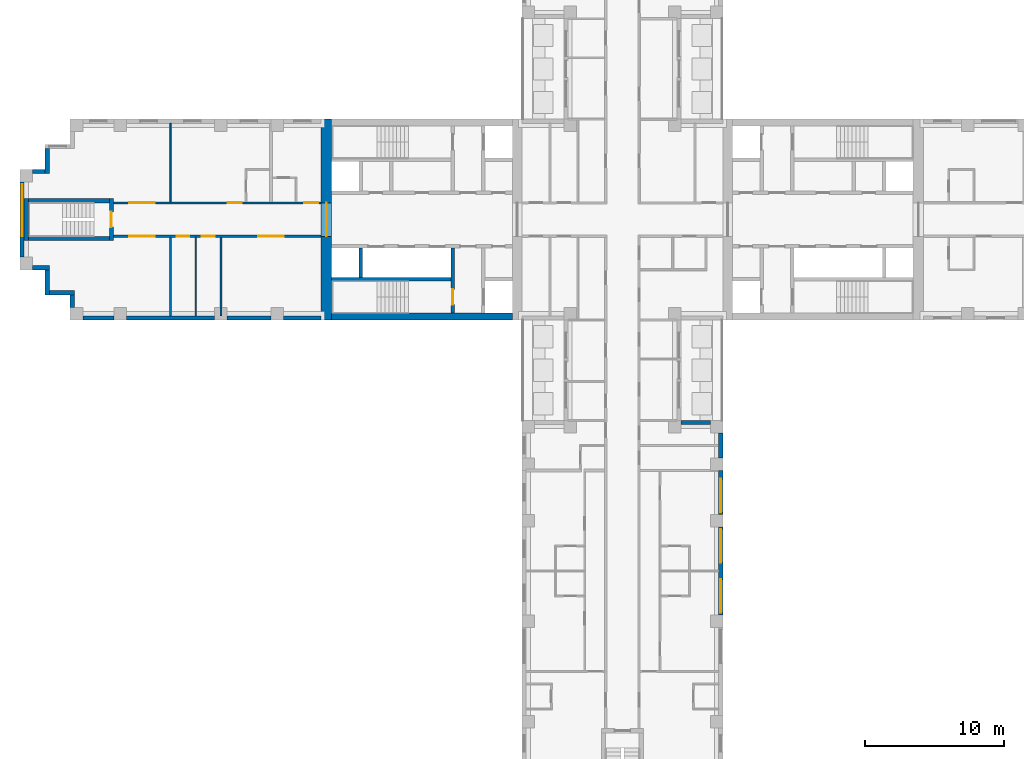
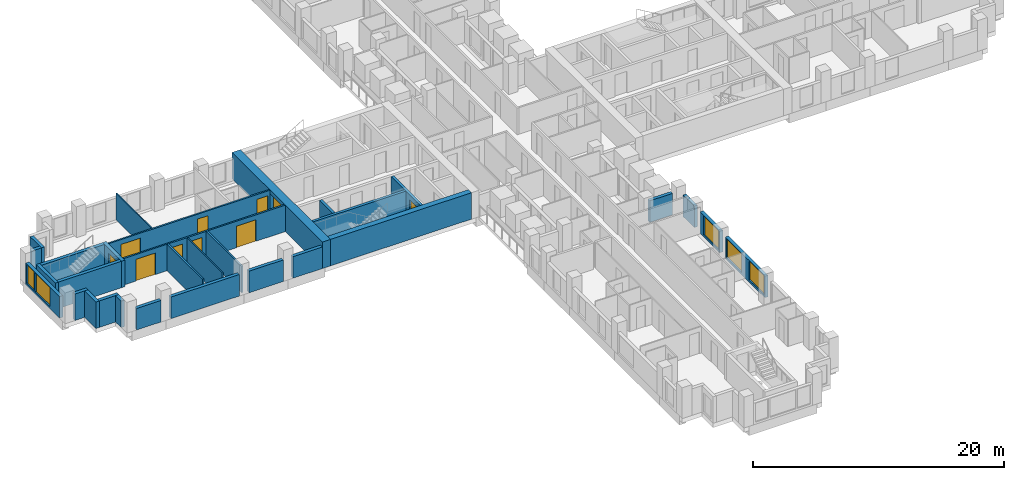
# One storey, part 5 of 15: 30 walls, 10 doors, 5 windows, 15 openings.
"""IFC4 building model written with IfcOpenShell, lengths in metres."""

from ifc_helpers import new_model, si_unit, direction, frame, frame_2d, origin, place, context, subcontext, project, spatial, rectangle, extrude, material, layer, layer_set, type_object, element, fill, save


model = new_model("IFC4")

# Units and contexts
model_context = context("Model", 3, precision=1e-05, world=origin(), true_north=direction((0.0, 1.0)))
body_context = subcontext(model_context, "Body", "Model", "MODEL_VIEW")
ifc_project = project(units=[si_unit("LENGTHUNIT", "METRE"), si_unit("AREAUNIT", "SQUARE_METRE"), si_unit("VOLUMEUNIT", "CUBIC_METRE"), si_unit("PLANEANGLEUNIT", "RADIAN"), si_unit("MASSUNIT", "GRAM", prefix="KILO")], contexts=[model_context])

# Site, building, storey
site_placement = place(None, origin())
site = spatial("IfcSite", under=ifc_project, at=site_placement, CompositionType="ELEMENT")
building_placement = place(site_placement, origin())
building = spatial("IfcBuilding", under=site, at=building_placement, Name="Fustian Cross Tower", CompositionType="ELEMENT")
storey_placement = place(building_placement, frame((0.0, 0.0, 53.699951171875)))
storey = spatial("IfcBuildingStorey", under=building, at=storey_placement, Name="L16", CompositionType="ELEMENT", Elevation=53.699951171875)

# Wall, openings, doors
ifc_material_1 = material(Name="Plasterboard on steel stud", Category="steel")
ifc_layer_1 = layer(ifc_material_1, 0.14990234375)
ifc_layer_set_1 = layer_set([ifc_layer_1], Name="Plasterboard on steel stud")
wall_type_1 = type_object("IfcWallType", Name="COMPARTMENT WALL 150 EI 60", PredefinedType="PARTITIONING", material=ifc_layer_set_1)
wall_1_placement = place(storey_placement, frame((-36.5, -1.199951171875, 0.0), z_axis=(0.0, 0.0, 1.0), x_axis=(1.0, 0.0, 0.0)))
wall_1 = element("IfcWall", 1, at=wall_1_placement, inside=storey, type_object=wall_type_1, Name="Partition 1", PredefinedType="PARTITIONING", context=body_context, shape_type="SweptSolid", body=[
    extrude(rectangle(XDim=14.89990234375, YDim=0.14990234375, at=frame_2d((7.449951171875, 0.0))), origin(), (0.0, 0.0, 1.0), 2.574951171875),
])
opening_1_placement = place(wall_1_placement, frame((10.39990234375, 0.0, 0.0)))
opening_1 = element("IfcOpeningElement", 2, at=opening_1_placement, cuts=wall_1, Name="Opening D09044", PredefinedType="OPENING", context=body_context, shape_type="SweptSolid", body=[
    extrude(rectangle(XDim=1.800048828125, YDim=2.10009765625, at=frame_2d((0.89990234375, 1.050048828125))), frame((0.0, 0.0849609375, 0.0), z_axis=(0.0, -1.0, 0.0), x_axis=(1.0, 0.0, 0.0)), (0.0, 0.0, 1.0), 0.169921875),
])
opening_2_placement = place(wall_1_placement, frame((6.35009765625, 0.0, 0.0)))
opening_2 = element("IfcOpeningElement", 3, at=opening_2_placement, cuts=wall_1, Name="Opening D09045", PredefinedType="OPENING", context=body_context, shape_type="SweptSolid", body=[
    extrude(rectangle(XDim=0.89990234375, YDim=2.10009765625, at=frame_2d((0.449951171875, 1.050048828125))), frame((0.0, 0.0849609375, 0.0), z_axis=(0.0, -1.0, 0.0), x_axis=(1.0, 0.0, 0.0)), (0.0, 0.0, 1.0), 0.169921875),
])
opening_3_placement = place(wall_1_placement, frame((4.550048828125, 0.0, 0.0)))
opening_3 = element("IfcOpeningElement", 4, at=opening_3_placement, cuts=wall_1, Name="Opening D09046", PredefinedType="OPENING", context=body_context, shape_type="SweptSolid", body=[
    extrude(rectangle(XDim=0.89990234375, YDim=2.10009765625, at=frame_2d((0.449951171875, 1.050048828125))), frame((0.0, 0.0849609375, 0.0), z_axis=(0.0, -1.0, 0.0), x_axis=(1.0, 0.0, 0.0)), (0.0, 0.0, 1.0), 0.169921875),
])
opening_4_placement = place(wall_1_placement, frame((1.14990234375, 0.0, 0.0)))
opening_4 = element("IfcOpeningElement", 5, at=opening_4_placement, cuts=wall_1, Name="Opening D09047", PredefinedType="OPENING", context=body_context, shape_type="SweptSolid", body=[
    extrude(rectangle(XDim=1.800048828125, YDim=2.10009765625, at=frame_2d((0.89990234375, 1.050048828125))), frame((0.0, 0.0849609375, 0.0), z_axis=(0.0, -1.0, 0.0), x_axis=(1.0, 0.0, 0.0)), (0.0, 0.0, 1.0), 0.169921875),
])
ifc_material_2 = material(Name="Timber fire door set", Category="wood")
door_type_1 = type_object("IfcDoorType", Name="FIRE DOUBLE DOOR 1800 FD30S", OperationType="DOUBLE_DOOR_DOUBLE_SWING", PredefinedType="DOOR", material=ifc_material_2)
door_1_placement = place(opening_1_placement, origin())
door_1 = element("IfcDoor", 6, at=door_1_placement, inside=storey, type_object=door_type_1, Name="Door D09044", OperationType="DOUBLE_DOOR_DOUBLE_SWING", OverallHeight=2.10009765625, OverallWidth=1.800048828125, PredefinedType="DOOR", context=body_context, shape_type="SweptSolid", body=[
    extrude(rectangle(XDim=1.800048828125, YDim=2.10009765625, at=frame_2d((0.89990234375, 1.050048828125))), frame((0.0, 0.02490234375, 0.0), z_axis=(0.0, -1.0, 0.0), x_axis=(1.0, 0.0, 0.0)), (0.0, 0.0, 1.0), 0.050048828125),
])
fill(opening_1, door_1)
door_2_placement = place(opening_4_placement, origin())
door_2 = element("IfcDoor", 7, at=door_2_placement, inside=storey, type_object=door_type_1, Name="Door D09047", OperationType="DOUBLE_DOOR_DOUBLE_SWING", OverallHeight=2.10009765625, OverallWidth=1.800048828125, PredefinedType="DOOR", context=body_context, shape_type="SweptSolid", body=[
    extrude(rectangle(XDim=1.800048828125, YDim=2.10009765625, at=frame_2d((0.89990234375, 1.050048828125))), frame((0.0, 0.02490234375, 0.0), z_axis=(0.0, -1.0, 0.0), x_axis=(1.0, 0.0, 0.0)), (0.0, 0.0, 1.0), 0.050048828125),
])
fill(opening_4, door_2)
ifc_material_3 = material(Name="Timber fire door set", Category="wood")
door_type_2 = type_object("IfcDoorType", Name="FIRE SWING DOOR 900 FD30S", OperationType="SINGLE_SWING_LEFT", PredefinedType="DOOR", material=ifc_material_3)
door_3_placement = place(opening_2_placement, frame((0.89990234375, 0.0, 0.0), z_axis=(0.0, 0.0, 1.0), x_axis=(-1.0, 0.0, 0.0)))
door_3 = element("IfcDoor", 8, at=door_3_placement, inside=storey, type_object=door_type_2, Name="Door D09045", OperationType="SINGLE_SWING_LEFT", OverallHeight=2.10009765625, OverallWidth=0.89990234375, PredefinedType="DOOR", context=body_context, shape_type="SweptSolid", body=[
    extrude(rectangle(XDim=0.89990234375, YDim=2.10009765625, at=frame_2d((0.449951171875, 1.050048828125))), frame((0.0, 0.02490234375, 0.0), z_axis=(0.0, -1.0, 0.0), x_axis=(1.0, 0.0, 0.0)), (0.0, 0.0, 1.0), 0.050048828125),
])
fill(opening_2, door_3)
door_4_placement = place(opening_3_placement, frame((0.89990234375, 0.0, 0.0), z_axis=(0.0, 0.0, 1.0), x_axis=(-1.0, 0.0, 0.0)))
door_4 = element("IfcDoor", 9, at=door_4_placement, inside=storey, type_object=door_type_2, Name="Door D09046", OperationType="SINGLE_SWING_LEFT", OverallHeight=2.10009765625, OverallWidth=0.89990234375, PredefinedType="DOOR", context=body_context, shape_type="SweptSolid", body=[
    extrude(rectangle(XDim=0.89990234375, YDim=2.10009765625, at=frame_2d((0.449951171875, 1.050048828125))), frame((0.0, 0.02490234375, 0.0), z_axis=(0.0, -1.0, 0.0), x_axis=(1.0, 0.0, 0.0)), (0.0, 0.0, 1.0), 0.050048828125),
])
fill(opening_3, door_4)

wall_2_placement = place(storey_placement, frame((-36.5, 1.199951171875, 0.0), z_axis=(0.0, 0.0, 1.0), x_axis=(1.0, 0.0, 0.0)))
wall_2 = element("IfcWall", 10, at=wall_2_placement, inside=storey, type_object=wall_type_1, Name="Partition 2", PredefinedType="PARTITIONING", context=body_context, shape_type="SweptSolid", body=[
    extrude(rectangle(XDim=14.89990234375, YDim=0.14990234375, at=frame_2d((7.449951171875, 0.0))), origin(), (0.0, 0.0, 1.0), 2.574951171875),
])
opening_5_placement = place(wall_2_placement, frame((13.699951171875, 0.0, 0.0)))
opening_5 = element("IfcOpeningElement", 11, at=opening_5_placement, cuts=wall_2, Name="Opening D09049", PredefinedType="OPENING", context=body_context, shape_type="SweptSolid", body=[
    extrude(rectangle(XDim=1.0, YDim=2.10009765625, at=frame_2d((0.5, 1.050048828125))), frame((0.0, 0.0849609375, 0.0), z_axis=(0.0, -1.0, 0.0), x_axis=(1.0, 0.0, 0.0)), (0.0, 0.0, 1.0), 0.169921875),
])
opening_6_placement = place(wall_2_placement, frame((8.18994140625, 0.0, 0.0)))
opening_6 = element("IfcOpeningElement", 12, at=opening_6_placement, cuts=wall_2, Name="Opening D09051", PredefinedType="OPENING", context=body_context, shape_type="SweptSolid", body=[
    extrude(rectangle(XDim=1.0, YDim=2.10009765625, at=frame_2d((0.5, 1.050048828125))), frame((0.0, 0.0849609375, 0.0), z_axis=(0.0, -1.0, 0.0), x_axis=(1.0, 0.0, 0.0)), (0.0, 0.0, 1.0), 0.169921875),
])
opening_7_placement = place(wall_2_placement, frame((1.14990234375, 0.0, 0.0)))
opening_7 = element("IfcOpeningElement", 13, at=opening_7_placement, cuts=wall_2, Name="Opening D09052", PredefinedType="OPENING", context=body_context, shape_type="SweptSolid", body=[
    extrude(rectangle(XDim=1.800048828125, YDim=2.10009765625, at=frame_2d((0.89990234375, 1.050048828125))), frame((0.0, 0.0849609375, 0.0), z_axis=(0.0, -1.0, 0.0), x_axis=(1.0, 0.0, 0.0)), (0.0, 0.0, 1.0), 0.169921875),
])
door_5_placement = place(opening_7_placement, frame((1.800048828125, 0.0, 0.0), z_axis=(0.0, 0.0, 1.0), x_axis=(-1.0, 0.0, 0.0)))
door_5 = element("IfcDoor", 14, at=door_5_placement, inside=storey, type_object=door_type_1, Name="Door D09052", OperationType="DOUBLE_DOOR_DOUBLE_SWING", OverallHeight=2.10009765625, OverallWidth=1.800048828125, PredefinedType="DOOR", context=body_context, shape_type="SweptSolid", body=[
    extrude(rectangle(XDim=1.800048828125, YDim=2.10009765625, at=frame_2d((0.89990234375, 1.050048828125))), frame((0.0, 0.02490234375, 0.0), z_axis=(0.0, -1.0, 0.0), x_axis=(1.0, 0.0, 0.0)), (0.0, 0.0, 1.0), 0.050048828125),
])
fill(opening_7, door_5)
ifc_material_4 = material(Name="Timber fire door set", Category="wood")
door_type_3 = type_object("IfcDoorType", Name="FIRE SWING DOOR 1000 FD30S", OperationType="SINGLE_SWING_LEFT", PredefinedType="DOOR", material=ifc_material_4)
door_6_placement = place(opening_5_placement, origin())
door_6 = element("IfcDoor", 15, at=door_6_placement, inside=storey, type_object=door_type_3, Name="Door D09049", OperationType="SINGLE_SWING_RIGHT", OverallHeight=2.10009765625, OverallWidth=1.0, PredefinedType="DOOR", context=body_context, shape_type="SweptSolid", body=[
    extrude(rectangle(XDim=1.0, YDim=2.10009765625, at=frame_2d((0.5, 1.050048828125))), frame((0.0, 0.02490234375, 0.0), z_axis=(0.0, -1.0, 0.0), x_axis=(1.0, 0.0, 0.0)), (0.0, 0.0, 1.0), 0.050048828125),
])
fill(opening_5, door_6)
door_7_placement = place(opening_6_placement, origin())
door_7 = element("IfcDoor", 16, at=door_7_placement, inside=storey, type_object=door_type_3, Name="Door D09051", OperationType="SINGLE_SWING_RIGHT", OverallHeight=2.10009765625, OverallWidth=1.0, PredefinedType="DOOR", context=body_context, shape_type="SweptSolid", body=[
    extrude(rectangle(XDim=1.0, YDim=2.10009765625, at=frame_2d((0.5, 1.050048828125))), frame((0.0, 0.02490234375, 0.0), z_axis=(0.0, -1.0, 0.0), x_axis=(1.0, 0.0, 0.0)), (0.0, 0.0, 1.0), 0.050048828125),
])
fill(opening_6, door_7)

# Walls
for number, where, z_axis, x_axis, name in (
    (17, (-32.39990234375, -6.89990234375, 0.0), (0.0, 0.0, 1.0), (0.0, 1.0, 0.0), "Partition 3"),
    (18, (-28.800048828125, -6.89990234375, 0.0), (0.0, 0.0, 1.0), (0.0, 1.0, 0.0), "Partition 6"),
):
    element("IfcWall", number, at=place(storey_placement, frame(where, z_axis=z_axis, x_axis=x_axis)), inside=storey, type_object=wall_type_1, Name=name, PredefinedType="PARTITIONING", context=body_context, shape_type="SweptSolid", body=[
        extrude(rectangle(XDim=5.625, YDim=0.14990234375, at=frame_2d((2.8125, 0.0))), origin(), (0.0, 0.0, 1.0), 2.574951171875),
    ])

# Wall, opening, door
ifc_material_5 = material(Name="Concrete C80/95", Category="concrete")
ifc_layer_2 = layer(ifc_material_5, 0.75)
ifc_layer_set_2 = layer_set([ifc_layer_2], Name="Concrete C80/95")
wall_type_2 = type_object("IfcWallType", Name="CORE END WALL 750 C80/95", PredefinedType="SHEAR", material=ifc_layer_set_2)
wall_3_placement = place(storey_placement, frame((-21.22509765625, -7.199951171875, 0.0), z_axis=(0.0, 0.0, 1.0), x_axis=(0.0, 1.0, 0.0)))
wall_3 = element("IfcWall", 19, at=wall_3_placement, inside=storey, type_object=wall_type_2, Name="Core end wall", PredefinedType="SHEAR", context=body_context, shape_type="SweptSolid", body=[
    extrude(rectangle(XDim=14.39990234375, YDim=0.75, at=frame_2d((7.199951171875, 0.0))), origin(), (0.0, 0.0, 1.0), 2.574951171875),
])
opening_8_placement = place(wall_3_placement, frame((6.0, 0.0, 0.0)))
opening_8 = element("IfcOpeningElement", 20, at=opening_8_placement, cuts=wall_3, Name="Opening CD-06-28", PredefinedType="OPENING", context=body_context, shape_type="SweptSolid", body=[
    extrude(rectangle(XDim=2.39990234375, YDim=2.199951171875, at=frame_2d((1.199951171875, 1.10009765625))), frame((0.0, 0.385009765625, 0.0), z_axis=(0.0, -1.0, 0.0), x_axis=(1.0, 0.0, 0.0)), (0.0, 0.0, 1.0), 0.77001953125),
])
ifc_material_6 = material(Name="Steel", Category="steel")
door_type_4 = type_object("IfcDoorType", Name="FIRE DOOR FD30S DOUBLE 2400X2200", OperationType="DOUBLE_DOOR_DOUBLE_SWING", PredefinedType="DOOR", material=ifc_material_6)
door_8_placement = place(opening_8_placement, frame((2.39990234375, 0.0, 0.0), z_axis=(0.0, 0.0, 1.0), x_axis=(-1.0, 0.0, 0.0)))
door_8 = element("IfcDoor", 21, at=door_8_placement, inside=storey, type_object=door_type_4, Name="Core door CD-06-28", OperationType="DOUBLE_DOOR_DOUBLE_SWING", OverallHeight=2.199951171875, OverallWidth=2.39990234375, PredefinedType="DOOR", context=body_context, shape_type="SweptSolid", body=[
    extrude(rectangle(XDim=2.39990234375, YDim=2.199951171875, at=frame_2d((1.199951171875, 1.10009765625))), frame((0.0, 0.02490234375, 0.0), z_axis=(0.0, -1.0, 0.0), x_axis=(1.0, 0.0, 0.0)), (0.0, 0.0, 1.0), 0.050048828125),
])
fill(opening_8, door_8)

# Walls
ifc_material_7 = material(Name="Concrete C80/95", Category="concrete")
ifc_layer_3 = layer(ifc_material_7, 0.5)
ifc_layer_set_3 = layer_set([ifc_layer_3], Name="Concrete C80/95")
wall_type_3 = type_object("IfcWallType", Name="CORE FACADE WALL 500 C80/95", PredefinedType="SHEAR", material=ifc_layer_set_3)
wall_4_placement = place(storey_placement, frame((-7.89990234375, -6.949951171875, 0.0), z_axis=(0.0, 0.0, 1.0), x_axis=(-1.0, 0.0, 0.0)))
element("IfcWall", 22, at=wall_4_placement, inside=storey, type_object=wall_type_3, Name="Core facade wall", PredefinedType="SHEAR", context=body_context, shape_type="SweptSolid", body=[
    extrude(rectangle(XDim=12.9501953125, YDim=0.5, at=frame_2d((6.47509765625, 0.0))), origin(), (0.0, 0.0, 1.0), 2.574951171875),
])
ifc_material_8 = material(Name="Concrete C50/60", Category="concrete")
ifc_layer_4 = layer(ifc_material_8, 0.25)
ifc_layer_set_4 = layer_set([ifc_layer_4], Name="Concrete C50/60")
wall_type_4 = type_object("IfcWallType", Name="CORE SHAFT WALL 250 C50/60", PredefinedType="SHEAR", material=ifc_layer_set_4)
wall_5_placement = place(storey_placement, frame((-12.300048828125, -4.27490234375, 0.0), z_axis=(0.0, 0.0, 1.0), x_axis=(-1.0, 0.0, 0.0)))
element("IfcWall", 23, at=wall_5_placement, inside=storey, type_object=wall_type_4, Name="Core shaft wall", PredefinedType="SHEAR", context=body_context, shape_type="SweptSolid", body=[
    extrude(rectangle(XDim=8.550048828125, YDim=0.25, at=frame_2d((4.27490234375, 0.0))), origin(), (0.0, 0.0, 1.0), 2.574951171875),
])

# Wall, opening, door
wall_6_placement = place(storey_placement, frame((-12.175048828125, -2.050048828125, 0.0), z_axis=(0.0, 0.0, 1.0), x_axis=(0.0, -1.0, 0.0)))
wall_6 = element("IfcWall", 24, at=wall_6_placement, inside=storey, type_object=wall_type_4, Name="Core shaft wall", PredefinedType="SHEAR", context=body_context, shape_type="SweptSolid", body=[
    extrude(rectangle(XDim=4.64990234375, YDim=0.25, at=frame_2d((2.324951171875, 0.0))), origin(), (0.0, 0.0, 1.0), 2.574951171875),
])
opening_9_placement = place(wall_6_placement, frame((2.949951171875, 0.0, 0.0)))
opening_9 = element("IfcOpeningElement", 25, at=opening_9_placement, cuts=wall_6, Name="Opening CD-06-22", PredefinedType="OPENING", context=body_context, shape_type="SweptSolid", body=[
    extrude(rectangle(XDim=1.10009765625, YDim=2.10009765625, at=frame_2d((0.550048828125, 1.050048828125))), frame((0.0, 0.135009765625, 0.0), z_axis=(0.0, -1.0, 0.0), x_axis=(1.0, 0.0, 0.0)), (0.0, 0.0, 1.0), 0.27001953125),
])
ifc_material_9 = material(Name="Steel", Category="steel")
door_type_5 = type_object("IfcDoorType", Name="FIRE DOOR FD60S 1100X2100", OperationType="SINGLE_SWING_LEFT", PredefinedType="DOOR", material=ifc_material_9)
door_9_placement = place(opening_9_placement, frame((1.10009765625, 0.0, 0.0), z_axis=(0.0, 0.0, 1.0), x_axis=(-1.0, 0.0, 0.0)))
door_9 = element("IfcDoor", 26, at=door_9_placement, inside=storey, type_object=door_type_5, Name="Core door CD-06-22", OperationType="SINGLE_SWING_RIGHT", OverallHeight=2.10009765625, OverallWidth=1.10009765625, PredefinedType="DOOR", context=body_context, shape_type="SweptSolid", body=[
    extrude(rectangle(XDim=1.10009765625, YDim=2.10009765625, at=frame_2d((0.550048828125, 1.050048828125))), frame((0.0, 0.02490234375, 0.0), z_axis=(0.0, -1.0, 0.0), x_axis=(1.0, 0.0, 0.0)), (0.0, 0.0, 1.0), 0.050048828125),
])
fill(opening_9, door_9)

# Walls
ifc_material_10 = material(Name="Plasterboard on steel stud", Category="steel")
ifc_layer_5 = layer(ifc_material_10, 0.10009765625)
ifc_layer_set_5 = layer_set([ifc_layer_5], Name="Plasterboard on steel stud")
wall_type_5 = type_object("IfcWallType", Name="PARTITION 100 STUD", PredefinedType="PARTITIONING", material=ifc_layer_set_5)
for number, where, z_axis, x_axis, name in (
    (27, (-32.39990234375, 1.27490234375, 0.0), (0.0, 0.0, 1.0), (0.0, 1.0, 0.0), "Partition 4"),
    (28, (-30.60009765625, -6.89990234375, 0.0), (0.0, 0.0, 1.0), (0.0, 1.0, 0.0), "Partition 5"),
):
    element("IfcWall", number, at=place(storey_placement, frame(where, z_axis=z_axis, x_axis=x_axis)), inside=storey, type_object=wall_type_5, Name=name, PredefinedType="PARTITIONING", context=body_context, shape_type="SweptSolid", body=[
        extrude(rectangle(XDim=5.625, YDim=0.10009765625, at=frame_2d((2.8125, 0.0))), origin(), (0.0, 0.0, 1.0), 2.574951171875),
    ])
ifc_material_11 = material(Name="Concrete C40/50", Category="concrete")
ifc_layer_6 = layer(ifc_material_11, 0.25)
ifc_layer_set_6 = layer_set([ifc_layer_6], Name="Concrete C40/50")
wall_type_6 = type_object("IfcWallType", Name="SHAFT PARTITION WALL 250 C40/50", PredefinedType="PARTITIONING", material=ifc_layer_set_6)
wall_7_placement = place(storey_placement, frame((-18.77490234375, -2.050048828125, 0.0), z_axis=(0.0, 0.0, 1.0), x_axis=(0.0, -1.0, 0.0)))
element("IfcWall", 29, at=wall_7_placement, inside=storey, type_object=wall_type_6, Name="Core shaft wall", PredefinedType="PARTITIONING", context=body_context, shape_type="SweptSolid", body=[
    extrude(rectangle(XDim=2.099853515625, YDim=0.25, at=frame_2d((1.0498046875, 0.0))), origin(), (0.0, 0.0, 1.0), 2.574951171875),
])

# Wall, opening, door
ifc_material_12 = material(Name="Concrete C50/60", Category="concrete")
ifc_layer_7 = layer(ifc_material_12, 0.300048828125)
ifc_layer_set_7 = layer_set([ifc_layer_7], Name="Concrete C50/60")
wall_type_7 = type_object("IfcWallType", Name="STAIR ENCLOSURE WALL 300 C50/60", PredefinedType="SHEAR", material=ifc_layer_set_7)
wall_8_placement = place(storey_placement, frame((-36.64990234375, -1.5, 0.0), z_axis=(0.0, 0.0, 1.0), x_axis=(0.0, 1.0, 0.0)))
wall_8 = element("IfcWall", 30, at=wall_8_placement, inside=storey, type_object=wall_type_7, Name="Stair enclosure wall", PredefinedType="SHEAR", context=body_context, shape_type="SweptSolid", body=[
    extrude(rectangle(XDim=3.0, YDim=0.300048828125, at=frame_2d((1.5, 0.0))), origin(), (0.0, 0.0, 1.0), 2.574951171875),
])
opening_10_placement = place(wall_8_placement, frame((0.949951171875, 0.0, 0.0)))
opening_10 = element("IfcOpeningElement", 31, at=opening_10_placement, cuts=wall_8, Name="Opening CD-06-34", PredefinedType="OPENING", context=body_context, shape_type="SweptSolid", body=[
    extrude(rectangle(XDim=1.10009765625, YDim=2.10009765625, at=frame_2d((0.550048828125, 1.050048828125))), frame((0.0, 0.159912109375, 0.0), z_axis=(0.0, -1.0, 0.0), x_axis=(1.0, 0.0, 0.0)), (0.0, 0.0, 1.0), 0.320068359375),
])
door_10_placement = place(opening_10_placement, origin())
door_10 = element("IfcDoor", 32, at=door_10_placement, inside=storey, type_object=door_type_5, Name="Core door CD-06-34", OperationType="SINGLE_SWING_LEFT", OverallHeight=2.10009765625, OverallWidth=1.10009765625, PredefinedType="DOOR", context=body_context, shape_type="SweptSolid", body=[
    extrude(rectangle(XDim=1.10009765625, YDim=2.10009765625, at=frame_2d((0.550048828125, 1.050048828125))), frame((0.0, 0.02490234375, 0.0), z_axis=(0.0, -1.0, 0.0), x_axis=(1.0, 0.0, 0.0)), (0.0, 0.0, 1.0), 0.050048828125),
])
fill(opening_10, door_10)

# Walls
wall_9_placement = place(storey_placement, frame((-42.75, -1.5, 0.0), z_axis=(0.0, 0.0, 1.0), x_axis=(0.0, 1.0, 0.0)))
element("IfcWall", 33, at=wall_9_placement, inside=storey, type_object=wall_type_7, Name="Stair enclosure wall", PredefinedType="SHEAR", context=body_context, shape_type="SweptSolid", body=[
    extrude(rectangle(XDim=3.0, YDim=0.300048828125, at=frame_2d((1.5, 0.0))), origin(), (0.0, 0.0, 1.0), 2.574951171875),
])
for number, where, z_axis, x_axis, name in (
    (34, (-36.800048828125, -1.35009765625, 0.0), (0.0, 0.0, 1.0), (-1.0, 0.0, 0.0), "Stair enclosure wall"),
    (35, (-36.800048828125, 1.35009765625, 0.0), (0.0, 0.0, 1.0), (-1.0, 0.0, 0.0), "Stair enclosure wall"),
):
    element("IfcWall", number, at=place(storey_placement, frame(where, z_axis=z_axis, x_axis=x_axis)), inside=storey, type_object=wall_type_7, Name=name, PredefinedType="SHEAR", context=body_context, shape_type="SweptSolid", body=[
        extrude(rectangle(XDim=5.800048828125, YDim=0.300048828125, at=frame_2d((2.89990234375, 0.0))), origin(), (0.0, 0.0, 1.0), 2.574951171875),
    ])
ifc_material_13 = material(Name="Dark aluminium cladding on insulated backing wall", Category="aluminium")
ifc_layer_8 = layer(ifc_material_13, 0.300048828125)
ifc_layer_set_8 = layer_set([ifc_layer_8], Name="Dark aluminium cladding on insulated backing wall")
wall_type_8 = type_object("IfcWallType", Name="XW1 EXTERNAL WALL 300", PredefinedType="SOLIDWALL", material=ifc_layer_set_8)
wall_10_placement = place(storey_placement, frame((-41.25, 5.10009765625, 0.0), z_axis=(0.0, 0.0, 1.0), x_axis=(0.0, -1.0, 0.0)))
element("IfcWall", 36, at=wall_10_placement, inside=storey, type_object=wall_type_8, Name="External wall", PredefinedType="SOLIDWALL", context=body_context, shape_type="SweptSolid", body=[
    extrude(rectangle(XDim=1.800048828125, YDim=0.300048828125, at=frame_2d((0.89990234375, 0.0))), origin(), (0.0, 0.0, 1.0), 2.574951171875),
])
wall_11_placement = place(storey_placement, frame((-41.39990234375, 3.449951171875, 0.0), z_axis=(0.0, 0.0, 1.0), x_axis=(-1.0, 0.0, 0.0)))
element("IfcWall", 37, at=wall_11_placement, inside=storey, type_object=wall_type_8, Name="External wall", PredefinedType="SOLIDWALL", context=body_context, shape_type="SweptSolid", body=[
    extrude(rectangle(XDim=0.900146484375, YDim=0.300048828125, at=frame_2d((0.4501953125, 0.0))), origin(), (0.0, 0.0, 1.0), 2.574951171875),
])

# Wall, openings, windows
wall_12_placement = place(storey_placement, frame((-43.050048828125, 2.699951171875, 0.0), z_axis=(0.0, 0.0, 1.0), x_axis=(0.0, -1.0, 0.0)))
wall_12 = element("IfcWall", 38, at=wall_12_placement, inside=storey, type_object=wall_type_8, Name="External wall", PredefinedType="SOLIDWALL", context=body_context, shape_type="SweptSolid", body=[
    extrude(rectangle(XDim=5.39990234375, YDim=0.300048828125, at=frame_2d((2.699951171875, 0.0))), origin(), (0.0, 0.0, 1.0), 2.10009765625),
])
opening_11_placement = place(wall_12_placement, frame((1.5, 0.0, 0.199951171875)))
opening_11 = element("IfcOpeningElement", 39, at=opening_11_placement, cuts=wall_12, Name="Opening WN1", PredefinedType="OPENING", context=body_context, shape_type="SweptSolid", body=[
    extrude(rectangle(XDim=2.39990234375, YDim=1.85009765625, at=frame_2d((1.199951171875, 0.925048828125))), frame((0.0, 0.159912109375, 0.0), z_axis=(0.0, -1.0, 0.0), x_axis=(1.0, 0.0, 0.0)), (0.0, 0.0, 1.0), 0.320068359375),
])
opening_12_placement = place(wall_12_placement, frame((0.14990234375, 0.0, 0.199951171875)))
opening_12 = element("IfcOpeningElement", 40, at=opening_12_placement, cuts=wall_12, Name="Opening WN3", PredefinedType="OPENING", context=body_context, shape_type="SweptSolid", body=[
    extrude(rectangle(XDim=1.199951171875, YDim=1.85009765625, at=frame_2d((0.60009765625, 0.925048828125))), frame((0.0, 0.159912109375, 0.0), z_axis=(0.0, -1.0, 0.0), x_axis=(1.0, 0.0, 0.0)), (0.0, 0.0, 1.0), 0.320068359375),
])
ifc_material_14 = material(Name="Dark anodised aluminium and double glazing", Category="aluminium")
window_type_1 = type_object("IfcWindowType", Name="WN1 WINDOW 2400X1850", PartitioningType="SINGLE_PANEL", PredefinedType="WINDOW", material=ifc_material_14)
window_1_placement = place(opening_11_placement, origin())
window_1 = element("IfcWindow", 41, at=window_1_placement, inside=storey, type_object=window_type_1, Name="Window", OverallHeight=1.85009765625, OverallWidth=2.39990234375, PartitioningType="SINGLE_PANEL", PredefinedType="WINDOW", context=body_context, shape_type="SweptSolid", body=[
    extrude(rectangle(XDim=2.39990234375, YDim=1.85009765625, at=frame_2d((1.199951171875, 0.925048828125))), frame((0.0, 0.030029296875, 0.0), z_axis=(0.0, -1.0, 0.0), x_axis=(1.0, 0.0, 0.0)), (0.0, 0.0, 1.0), 0.06005859375),
])
fill(opening_11, window_1)
ifc_material_15 = material(Name="Dark anodised aluminium and double glazing", Category="aluminium")
window_type_2 = type_object("IfcWindowType", Name="WN3 WINDOW 1200X1850", PartitioningType="SINGLE_PANEL", PredefinedType="WINDOW", material=ifc_material_15)
window_2_placement = place(opening_12_placement, origin())
window_2 = element("IfcWindow", 42, at=window_2_placement, inside=storey, type_object=window_type_2, Name="Window", OverallHeight=1.85009765625, OverallWidth=1.199951171875, PartitioningType="SINGLE_PANEL", PredefinedType="WINDOW", context=body_context, shape_type="SweptSolid", body=[
    extrude(rectangle(XDim=1.199951171875, YDim=1.85009765625, at=frame_2d((0.60009765625, 0.925048828125))), frame((0.0, 0.030029296875, 0.0), z_axis=(0.0, -1.0, 0.0), x_axis=(1.0, 0.0, 0.0)), (0.0, 0.0, 1.0), 0.06005859375),
])
fill(opening_12, window_2)

# Walls
wall_13_placement = place(storey_placement, frame((-42.300048828125, -3.449951171875, 0.0), z_axis=(0.0, 0.0, 1.0), x_axis=(1.0, 0.0, 0.0)))
element("IfcWall", 43, at=wall_13_placement, inside=storey, type_object=wall_type_8, Name="External wall", PredefinedType="SOLIDWALL", context=body_context, shape_type="SweptSolid", body=[
    extrude(rectangle(XDim=1.199951171875, YDim=0.300048828125, at=frame_2d((0.60009765625, 0.0))), origin(), (0.0, 0.0, 1.0), 2.574951171875),
])
wall_14_placement = place(storey_placement, frame((-41.25, -3.60009765625, 0.0), z_axis=(0.0, 0.0, 1.0), x_axis=(0.0, -1.0, 0.0)))
element("IfcWall", 44, at=wall_14_placement, inside=storey, type_object=wall_type_8, Name="External wall", PredefinedType="SOLIDWALL", context=body_context, shape_type="SweptSolid", body=[
    extrude(rectangle(XDim=1.7998046875, YDim=0.300048828125, at=frame_2d((0.89990234375, 0.0))), origin(), (0.0, 0.0, 1.0), 2.574951171875),
])
wall_15_placement = place(storey_placement, frame((-41.10009765625, -5.25, 0.0), z_axis=(0.0, 0.0, 1.0), x_axis=(1.0, 0.0, 0.0)))
element("IfcWall", 45, at=wall_15_placement, inside=storey, type_object=wall_type_8, Name="External wall", PredefinedType="SOLIDWALL", context=body_context, shape_type="SweptSolid", body=[
    extrude(rectangle(XDim=1.800048828125, YDim=0.300048828125, at=frame_2d((0.89990234375, 0.0))), origin(), (0.0, 0.0, 1.0), 2.574951171875),
])
wall_16_placement = place(storey_placement, frame((-39.449951171875, -5.39990234375, 0.0), z_axis=(0.0, 0.0, 1.0), x_axis=(0.0, -1.0, 0.0)))
element("IfcWall", 46, at=wall_16_placement, inside=storey, type_object=wall_type_8, Name="External wall", PredefinedType="SOLIDWALL", context=body_context, shape_type="SweptSolid", body=[
    extrude(rectangle(XDim=0.900146484375, YDim=0.300048828125, at=frame_2d((0.4501953125, 0.0))), origin(), (0.0, 0.0, 1.0), 2.574951171875),
])
wall_17_placement = place(storey_placement, frame((-38.699951171875, -7.050048828125, 0.0), z_axis=(0.0, 0.0, 1.0), x_axis=(1.0, 0.0, 0.0)))
element("IfcWall", 47, at=wall_17_placement, inside=storey, type_object=wall_type_8, Name="External wall", PredefinedType="SOLIDWALL", context=body_context, shape_type="SweptSolid", body=[
    extrude(rectangle(XDim=2.25, YDim=0.300048828125, at=frame_2d((1.125, 0.0))), origin(), (0.0, 0.0, 1.0), 2.10009765625),
])
wall_18_placement = place(storey_placement, frame((-35.550048828125, -7.050048828125, 0.0), z_axis=(0.0, 0.0, 1.0), x_axis=(1.0, 0.0, 0.0)))
element("IfcWall", 48, at=wall_18_placement, inside=storey, type_object=wall_type_8, Name="External wall", PredefinedType="SOLIDWALL", context=body_context, shape_type="SweptSolid", body=[
    extrude(rectangle(XDim=6.300048828125, YDim=0.300048828125, at=frame_2d((3.14990234375, 0.0))), origin(), (0.0, 0.0, 1.0), 2.10009765625),
])
wall_19_placement = place(storey_placement, frame((-28.35009765625, -7.050048828125, 0.0), z_axis=(0.0, 0.0, 1.0), x_axis=(1.0, 0.0, 0.0)))
element("IfcWall", 49, at=wall_19_placement, inside=storey, type_object=wall_type_8, Name="External wall", PredefinedType="SOLIDWALL", context=body_context, shape_type="SweptSolid", body=[
    extrude(rectangle(XDim=3.150146484375, YDim=0.300048828125, at=frame_2d((1.5751953125, 0.0))), origin(), (0.0, 0.0, 1.0), 2.10009765625),
])
wall_20_placement = place(storey_placement, frame((-24.300048828125, -7.050048828125, 0.0), z_axis=(0.0, 0.0, 1.0), x_axis=(1.0, 0.0, 0.0)))
element("IfcWall", 50, at=wall_20_placement, inside=storey, type_object=wall_type_8, Name="External wall", PredefinedType="SOLIDWALL", context=body_context, shape_type="SweptSolid", body=[
    extrude(rectangle(XDim=2.699951171875, YDim=0.300048828125, at=frame_2d((1.35009765625, 0.0))), origin(), (0.0, 0.0, 1.0), 2.10009765625),
])

# Wall, openings, windows
wall_21_placement = place(storey_placement, frame((7.050048828125, -28.35009765625, 0.0), z_axis=(0.0, 0.0, 1.0), x_axis=(0.0, 1.0, 0.0)))
wall_21 = element("IfcWall", 51, at=wall_21_placement, inside=storey, type_object=wall_type_8, Name="External wall", PredefinedType="SOLIDWALL", context=body_context, shape_type="SweptSolid", body=[
    extrude(rectangle(XDim=6.300048828125, YDim=0.300048828125, at=frame_2d((3.14990234375, 0.0))), origin(), (0.0, 0.0, 1.0), 2.10009765625),
])
opening_13_placement = place(wall_21_placement, frame((0.14990234375, 0.0, 0.199951171875)))
opening_13 = element("IfcOpeningElement", 52, at=opening_13_placement, cuts=wall_21, Name="Opening WN1", PredefinedType="OPENING", context=body_context, shape_type="SweptSolid", body=[
    extrude(rectangle(XDim=2.39990234375, YDim=1.85009765625, at=frame_2d((1.199951171875, 0.925048828125))), frame((0.0, 0.159912109375, 0.0), z_axis=(0.0, -1.0, 0.0), x_axis=(1.0, 0.0, 0.0)), (0.0, 0.0, 1.0), 0.320068359375),
])
opening_14_placement = place(wall_21_placement, frame((3.75, 0.0, 0.199951171875)))
opening_14 = element("IfcOpeningElement", 53, at=opening_14_placement, cuts=wall_21, Name="Opening WN1", PredefinedType="OPENING", context=body_context, shape_type="SweptSolid", body=[
    extrude(rectangle(XDim=2.39990234375, YDim=1.85009765625, at=frame_2d((1.199951171875, 0.925048828125))), frame((0.0, 0.159912109375, 0.0), z_axis=(0.0, -1.0, 0.0), x_axis=(1.0, 0.0, 0.0)), (0.0, 0.0, 1.0), 0.320068359375),
])
window_3_placement = place(opening_13_placement, origin())
window_3 = element("IfcWindow", 54, at=window_3_placement, inside=storey, type_object=window_type_1, Name="Window", OverallHeight=1.85009765625, OverallWidth=2.39990234375, PartitioningType="SINGLE_PANEL", PredefinedType="WINDOW", context=body_context, shape_type="SweptSolid", body=[
    extrude(rectangle(XDim=2.39990234375, YDim=1.85009765625, at=frame_2d((1.199951171875, 0.925048828125))), frame((0.0, 0.030029296875, 0.0), z_axis=(0.0, -1.0, 0.0), x_axis=(1.0, 0.0, 0.0)), (0.0, 0.0, 1.0), 0.06005859375),
])
fill(opening_13, window_3)
window_4_placement = place(opening_14_placement, origin())
window_4 = element("IfcWindow", 55, at=window_4_placement, inside=storey, type_object=window_type_1, Name="Window", OverallHeight=1.85009765625, OverallWidth=2.39990234375, PartitioningType="SINGLE_PANEL", PredefinedType="WINDOW", context=body_context, shape_type="SweptSolid", body=[
    extrude(rectangle(XDim=2.39990234375, YDim=1.85009765625, at=frame_2d((1.199951171875, 0.925048828125))), frame((0.0, 0.030029296875, 0.0), z_axis=(0.0, -1.0, 0.0), x_axis=(1.0, 0.0, 0.0)), (0.0, 0.0, 1.0), 0.06005859375),
])
fill(opening_14, window_4)

# Wall, opening, window
wall_22_placement = place(storey_placement, frame((7.050048828125, -21.14990234375, 0.0), z_axis=(0.0, 0.0, 1.0), x_axis=(0.0, 1.0, 0.0)))
wall_22 = element("IfcWall", 56, at=wall_22_placement, inside=storey, type_object=wall_type_8, Name="External wall", PredefinedType="SOLIDWALL", context=body_context, shape_type="SweptSolid", body=[
    extrude(rectangle(XDim=3.14990234375, YDim=0.300048828125, at=frame_2d((1.574951171875, 0.0))), origin(), (0.0, 0.0, 1.0), 2.10009765625),
])
opening_15_placement = place(wall_22_placement, frame((0.14990234375, 0.0, 0.199951171875)))
opening_15 = element("IfcOpeningElement", 57, at=opening_15_placement, cuts=wall_22, Name="Opening WN1", PredefinedType="OPENING", context=body_context, shape_type="SweptSolid", body=[
    extrude(rectangle(XDim=2.39990234375, YDim=1.85009765625, at=frame_2d((1.199951171875, 0.925048828125))), frame((0.0, 0.159912109375, 0.0), z_axis=(0.0, -1.0, 0.0), x_axis=(1.0, 0.0, 0.0)), (0.0, 0.0, 1.0), 0.320068359375),
])
window_5_placement = place(opening_15_placement, origin())
window_5 = element("IfcWindow", 58, at=window_5_placement, inside=storey, type_object=window_type_1, Name="Window", OverallHeight=1.85009765625, OverallWidth=2.39990234375, PartitioningType="SINGLE_PANEL", PredefinedType="WINDOW", context=body_context, shape_type="SweptSolid", body=[
    extrude(rectangle(XDim=2.39990234375, YDim=1.85009765625, at=frame_2d((1.199951171875, 0.925048828125))), frame((0.0, 0.030029296875, 0.0), z_axis=(0.0, -1.0, 0.0), x_axis=(1.0, 0.0, 0.0)), (0.0, 0.0, 1.0), 0.06005859375),
])
fill(opening_15, window_5)

# Walls
wall_23_placement = place(storey_placement, frame((7.050048828125, -17.10009765625, 0.0), z_axis=(0.0, 0.0, 1.0), x_axis=(0.0, 1.0, 0.0)))
element("IfcWall", 59, at=wall_23_placement, inside=storey, type_object=wall_type_8, Name="External wall", PredefinedType="SOLIDWALL", context=body_context, shape_type="SweptSolid", body=[
    extrude(rectangle(XDim=1.800048828125, YDim=0.300048828125, at=frame_2d((0.89990234375, 0.0))), origin(), (0.0, 0.0, 1.0), 2.10009765625),
])
wall_24_placement = place(storey_placement, frame((6.300048828125, -14.550048828125, 0.0), z_axis=(0.0, 0.0, 1.0), x_axis=(-1.0, 0.0, 0.0)))
element("IfcWall", 60, at=wall_24_placement, inside=storey, type_object=wall_type_8, Name="External wall", PredefinedType="SOLIDWALL", context=body_context, shape_type="SweptSolid", body=[
    extrude(rectangle(XDim=2.10009765625, YDim=0.300048828125, at=frame_2d((1.050048828125, 0.0))), origin(), (0.0, 0.0, 1.0), 2.10009765625),
])

save(model, "model.ifc")
